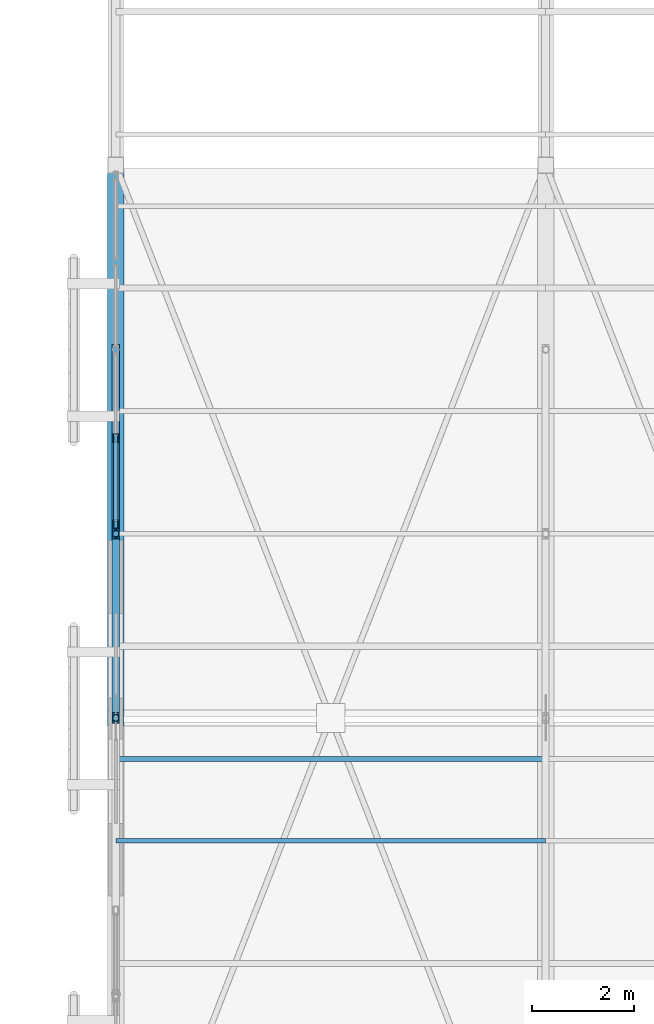
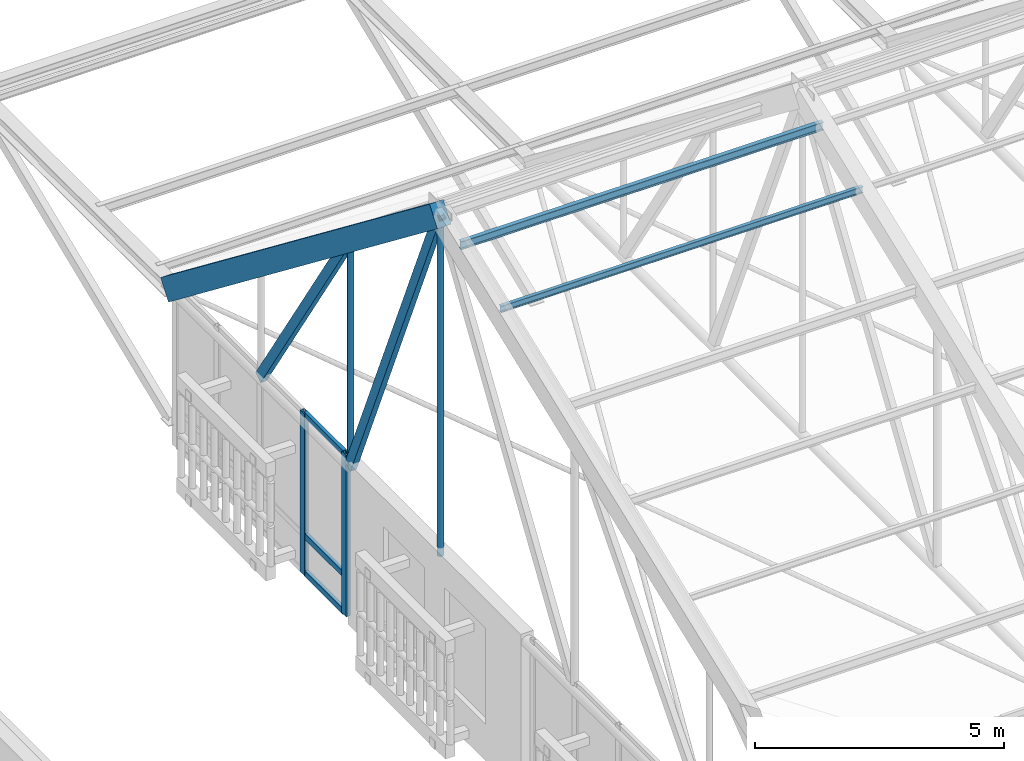
# One storey, part 77 of 217: 12 members, 1 element without a shape of its own.
"""IFC4 building model written with IfcOpenShell, lengths in metres."""

from ifc_helpers import new_model, si_unit, direction, frame, origin, origin_2d, place, context, subcontext, project, spatial, rectangle, hollow_rectangle, hollow_circle, i_section, extrude, material, layer, layer_set, material_profile, profile_set, type_object, element, aggregate, save


model = new_model("IFC4")

# Units and contexts
model_context = context("Model", 3, precision=1e-05, world=origin(), true_north=direction((0.0, 1.0)))
body_context = subcontext(model_context, "Body", "Model", "MODEL_VIEW")
ifc_project = project(units=[si_unit("LENGTHUNIT", "METRE"), si_unit("AREAUNIT", "SQUARE_METRE"), si_unit("VOLUMEUNIT", "CUBIC_METRE"), si_unit("PLANEANGLEUNIT", "RADIAN"), si_unit("MASSUNIT", "GRAM", prefix="KILO")], contexts=[model_context])

# Site, building, storey
site_placement = place(None, origin())
site = spatial("IfcSite", under=ifc_project, at=site_placement, CompositionType="ELEMENT")
building_placement = place(site_placement, origin())
building = spatial("IfcBuilding", under=site, at=building_placement, Name="Mazaris Harbour Polytechnic", CompositionType="ELEMENT")
storey_placement = place(building_placement, frame((0.0, 0.0, 9.60009765625)))
storey = spatial("IfcBuildingStorey", under=building, at=storey_placement, Name="L02", CompositionType="ELEMENT", Elevation=9.60009765625)

# Curtain wall, members
ifc_material_1 = material(Name="Anodised Bronze Aluminium and Low-E Glass", Category="aluminium")
ifc_layer = layer(ifc_material_1, 0.14990234375, Name="Anodised Bronze Aluminium and Low-E Glass")
ifc_layer_set = layer_set([ifc_layer], Name="Anodised Bronze Aluminium and Low-E Glass")
curtain_wall_type = type_object("IfcCurtainWallType", Name="Workshop Clerestory Curtain Wall", PredefinedType="NOTDEFINED", material=ifc_layer_set)
curtain_wall_placement = place(storey_placement, origin())
curtain_wall = element("IfcCurtainWall", 1, at=curtain_wall_placement, inside=storey, type_object=curtain_wall_type, Name="V1 L02 Curtain Wall 34", PredefinedType="NOTDEFINED")
ifc_material_2 = material(Name="Anodised Bronze Steel S355", Category="steel")
ifc_material_profile_1 = material_profile(ifc_material_2, hollow_rectangle(XDim=0.10009765625, YDim=0.179931640625, WallThickness=0.008056640625, at=origin_2d()), Name="RHS 100x180x8.0")
ifc_profile_set_1 = profile_set([ifc_material_profile_1], Name="Anodised Bronze Steel S355")
member_type_1 = type_object("IfcMemberType", Name="Curtain Mullion RHS100x180", PredefinedType="MULLION", material=ifc_profile_set_1)
member_1_placement = place(storey_placement, frame((54.0, 100.987060546875, 0.0), z_axis=(0.0, 0.0, 1.0), x_axis=(-1.0, 0.0, 0.0)))
member_1 = element("IfcMember", 2, at=member_1_placement, type_object=member_type_1, Name="CW-04 mullion 1", PredefinedType="MULLION", context=body_context, shape_type="SweptSolid", body=[
    extrude(hollow_rectangle(XDim=0.10009765625, YDim=0.179931640625, WallThickness=0.008056640625, at=origin_2d()), origin(), (0.0, 0.0, 1.0), 3.9599609375),
])
member_2_placement = place(storey_placement, frame((54.0, 102.66357421875, 0.0), z_axis=(0.0, 0.0, 1.0), x_axis=(-1.0, 0.0, 0.0)))
member_2 = element("IfcMember", 3, at=member_2_placement, type_object=member_type_1, Name="CW-04 mullion 2", PredefinedType="MULLION", context=body_context, shape_type="SweptSolid", body=[
    extrude(hollow_rectangle(XDim=0.10009765625, YDim=0.179931640625, WallThickness=0.008056640625, at=origin_2d()), origin(), (0.0, 0.0, 1.0), 3.9599609375),
])
ifc_material_3 = material(Name="Anodised Bronze Steel S355", Category="steel")
ifc_material_profile_2 = material_profile(ifc_material_3, hollow_rectangle(XDim=0.080078125, YDim=0.139892578125, WallThickness=0.00634765625, at=origin_2d()), Name="RHS 80x140x6.3")
ifc_profile_set_2 = profile_set([ifc_material_profile_2], Name="Anodised Bronze Steel S355")
member_type_2 = type_object("IfcMemberType", Name="Curtain Transom RHS80x140", PredefinedType="USERDEFINED", material=ifc_profile_set_2)
member_3_placement = place(storey_placement, frame((54.0, 101.037109375, 0.039794921875), z_axis=(0.0, 1.0, 0.0), x_axis=(-1.0, 0.0, 0.0)))
member_3 = element("IfcMember", 4, at=member_3_placement, type_object=member_type_2, Name="CW-04 transom 1.1", ObjectType="TRANSOM", PredefinedType="USERDEFINED", context=body_context, shape_type="SweptSolid", body=[
    extrude(hollow_rectangle(XDim=0.080078125, YDim=0.139892578125, WallThickness=0.00634765625, at=origin_2d()), origin(), (0.0, 0.0, 1.0), 1.576416015625),
])
member_4_placement = place(storey_placement, frame((54.0, 101.037109375, 0.949951171875), z_axis=(0.0, 1.0, 0.0), x_axis=(-1.0, 0.0, 0.0)))
member_4 = element("IfcMember", 5, at=member_4_placement, type_object=member_type_2, Name="CW-04 transom 1.2", ObjectType="TRANSOM", PredefinedType="USERDEFINED", context=body_context, shape_type="SweptSolid", body=[
    extrude(hollow_rectangle(XDim=0.080078125, YDim=0.139892578125, WallThickness=0.00634765625, at=origin_2d()), origin(), (0.0, 0.0, 1.0), 1.576416015625),
])
member_5_placement = place(storey_placement, frame((54.0, 101.037109375, 3.919921875), z_axis=(0.0, 1.0, 0.0), x_axis=(-1.0, 0.0, 0.0)))
member_5 = element("IfcMember", 6, at=member_5_placement, type_object=member_type_2, Name="CW-04 transom 1.3", ObjectType="TRANSOM", PredefinedType="USERDEFINED", context=body_context, shape_type="SweptSolid", body=[
    extrude(hollow_rectangle(XDim=0.080078125, YDim=0.139892578125, WallThickness=0.00634765625, at=origin_2d()), origin(), (0.0, 0.0, 1.0), 1.576416015625),
])
aggregate(curtain_wall, [member_1, member_2, member_3, member_4, member_5])

# Members
ifc_material_4 = material(Name="Glulam GL32h", Category="wood")
ifc_material_profile_3 = material_profile(ifc_material_4, rectangle(XDim=0.320068359375, YDim=0.52001953125, at=origin_2d()), Name="RECT320x520")
ifc_profile_set_3 = profile_set([ifc_material_profile_3], Name="Glulam GL32h")
member_type_3 = type_object("IfcMemberType", Name="Glulam Top Chord 320x520", PredefinedType="CHORD", material=ifc_profile_set_3)
member_6_placement = place(storey_placement, frame((54.0, 97.199951171875, 12.099853515625), z_axis=(0.0, 0.791130406401, -0.611647512926), x_axis=(-1.0, 0.0, 0.0)))
element("IfcMember", 7, at=member_6_placement, inside=storey, type_object=member_type_3, Name="Truss 1 North Glulam Top Chord", PredefinedType="CHORD", context=body_context, shape_type="SweptSolid", body=[
    extrude(rectangle(XDim=0.320068359375, YDim=0.52001953125, at=origin_2d()), origin(), (0.0, 0.0, 1.0), 13.6513671875),
])
ifc_material_5 = material(Name="Steel S355", Category="steel")
ifc_material_profile_4 = material_profile(ifc_material_5, i_section(OverallWidth=0.08203125, OverallDepth=0.159912109375, WebThickness=0.0048828125, FlangeThickness=0.00732421875, FilletRadius=0.009033203125, at=origin_2d()), Name="IPE 160")
ifc_profile_set_4 = profile_set([ifc_material_profile_4], Name="Steel S355")
member_type_4 = type_object("IfcMemberType", Name="Steel Purlin IPE160", PredefinedType="PURLIN", material=ifc_profile_set_4)
member_7_placement = place(storey_placement, frame((54.0, 94.800048828125, 11.23779296875), z_axis=(1.0, 0.0, 0.0), x_axis=(0.0, 1.0, 0.0)))
element("IfcMember", 8, at=member_7_placement, inside=storey, type_object=member_type_4, Name="V1 Roof Purlin S-12", PredefinedType="PURLIN", context=body_context, shape_type="SweptSolid", body=[
    extrude(i_section(OverallWidth=0.08203125, OverallDepth=0.159912109375, WebThickness=0.0048828125, FlangeThickness=0.00732421875, FilletRadius=0.009033203125, at=origin_2d()), origin(), (0.0, 0.0, 1.0), 8.39990234375),
])
ifc_material_6 = material(Name="Steel S355", Category="steel")
ifc_material_profile_5 = material_profile(ifc_material_6, i_section(OverallWidth=0.10009765625, OverallDepth=0.199951171875, WebThickness=0.005615234375, FlangeThickness=0.008544921875, FilletRadius=0.011962890625, at=origin_2d()), Name="IPE 200")
ifc_profile_set_5 = profile_set([ifc_material_profile_5], Name="Steel S355")
member_type_5 = type_object("IfcMemberType", Name="Steel Purlin IPE200", PredefinedType="PURLIN", material=ifc_profile_set_5)
member_8_placement = place(storey_placement, frame((54.0, 96.39990234375, 11.833740234375), z_axis=(1.0, 0.0, 0.0), x_axis=(0.0, 1.0, 0.0)))
element("IfcMember", 9, at=member_8_placement, inside=storey, type_object=member_type_5, Name="V1 Roof Purlin S-13", PredefinedType="PURLIN", context=body_context, shape_type="SweptSolid", body=[
    extrude(i_section(OverallWidth=0.10009765625, OverallDepth=0.199951171875, WebThickness=0.005615234375, FlangeThickness=0.008544921875, FilletRadius=0.011962890625, at=origin_2d()), origin(), (0.0, 0.0, 1.0), 8.39990234375),
])
ifc_material_7 = material(Name="Steel S355", Category="steel")
ifc_material_profile_6 = material_profile(ifc_material_7, hollow_rectangle(XDim=0.139892578125, YDim=0.239990234375, WallThickness=0.010009765625, at=origin_2d()), Name="RHS 140x240x10.0")
ifc_profile_set_6 = profile_set([ifc_material_profile_6], Name="Steel S355")
member_type_6 = type_object("IfcMemberType", Name="Steel Truss Diagonal RHS140x240", PredefinedType="BRACE", material=ifc_profile_set_6)
member_9_placement = place(storey_placement, frame((54.0, 100.800048828125, 3.75), z_axis=(0.0, -0.395924210908, 0.918283191187), x_axis=(1.0, 0.0, 0.0)))
element("IfcMember", 10, at=member_9_placement, inside=storey, type_object=member_type_6, Name="Truss 1 Web Diagonal N1", PredefinedType="BRACE", context=body_context, shape_type="SweptSolid", body=[
    extrude(hollow_rectangle(XDim=0.139892578125, YDim=0.239990234375, WallThickness=0.010009765625, at=origin_2d()), origin(), (0.0, 0.0, 1.0), 9.093017578125),
])
member_10_placement = place(storey_placement, frame((54.0, 104.39990234375, 3.75), z_axis=(0.0, -0.543028315091, 0.839714385377), x_axis=(1.0, 0.0, 0.0)))
element("IfcMember", 11, at=member_10_placement, inside=storey, type_object=member_type_6, Name="Truss 1 Web Diagonal N2", PredefinedType="BRACE", context=body_context, shape_type="SweptSolid", body=[
    extrude(hollow_rectangle(XDim=0.139892578125, YDim=0.239990234375, WallThickness=0.010009765625, at=origin_2d()), origin(), (0.0, 0.0, 1.0), 6.629150390625),
])
ifc_material_8 = material(Name="Steel S355", Category="steel")
ifc_material_profile_7 = material_profile(ifc_material_8, hollow_circle(Radius=0.06982421875, WallThickness=0.008056640625, at=origin_2d()), Name="CHS 139.7x8.0")
ifc_profile_set_7 = profile_set([ifc_material_profile_7], Name="Steel S355")
member_type_7 = type_object("IfcMemberType", Name="Steel Truss Strut CHS139", PredefinedType="STRUT", material=ifc_profile_set_7)
member_11_placement = place(storey_placement, frame((54.0, 97.199951171875, 3.75), z_axis=(0.0, 0.0, 1.0), x_axis=(1.0, 0.0, 0.0)))
element("IfcMember", 12, at=member_11_placement, inside=storey, type_object=member_type_7, Name="Truss 1 Web Post S4", PredefinedType="STRUT", context=body_context, shape_type="SweptSolid", body=[
    extrude(hollow_circle(Radius=0.06982421875, WallThickness=0.008056640625, at=origin_2d()), origin(), (0.0, 0.0, 1.0), 8.349853515625),
])
member_12_placement = place(storey_placement, frame((54.0, 100.800048828125, 3.75), z_axis=(0.0, 0.0, 1.0), x_axis=(1.0, 0.0, 0.0)))
element("IfcMember", 13, at=member_12_placement, inside=storey, type_object=member_type_7, Name="Truss 1 Web Post N1", PredefinedType="STRUT", context=body_context, shape_type="SweptSolid", body=[
    extrude(hollow_circle(Radius=0.06982421875, WallThickness=0.008056640625, at=origin_2d()), origin(), (0.0, 0.0, 1.0), 5.566650390625),
])

save(model, "model.ifc")
